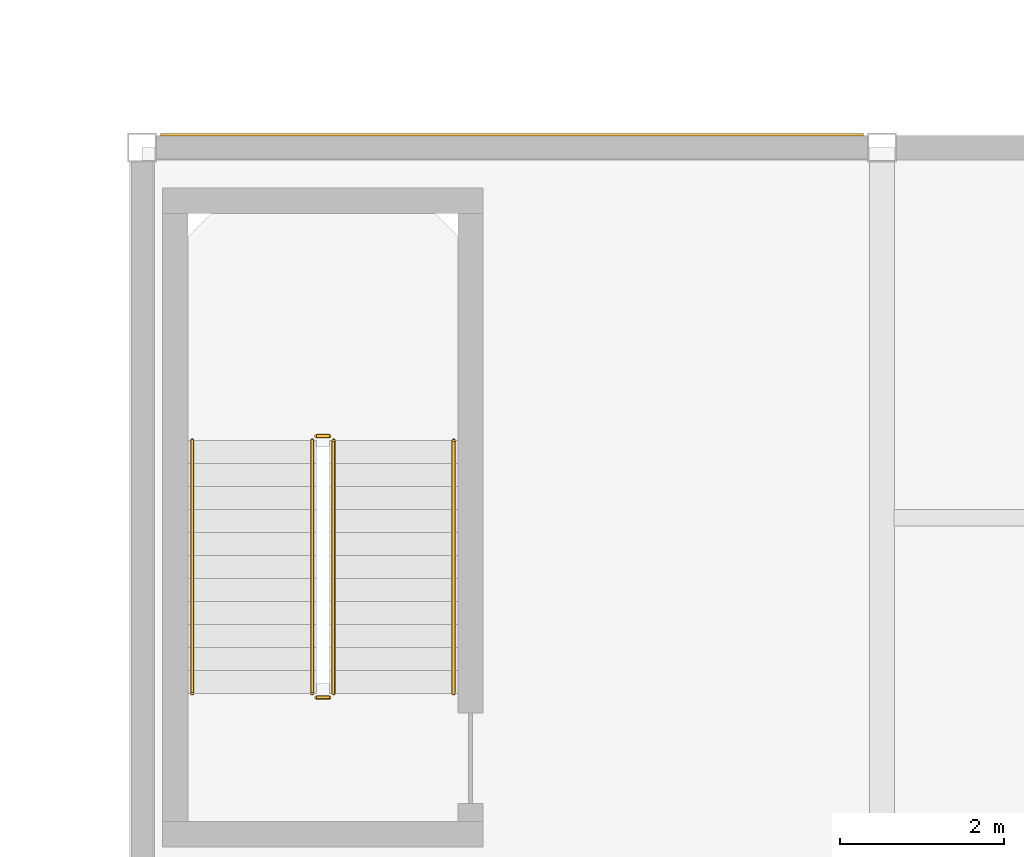
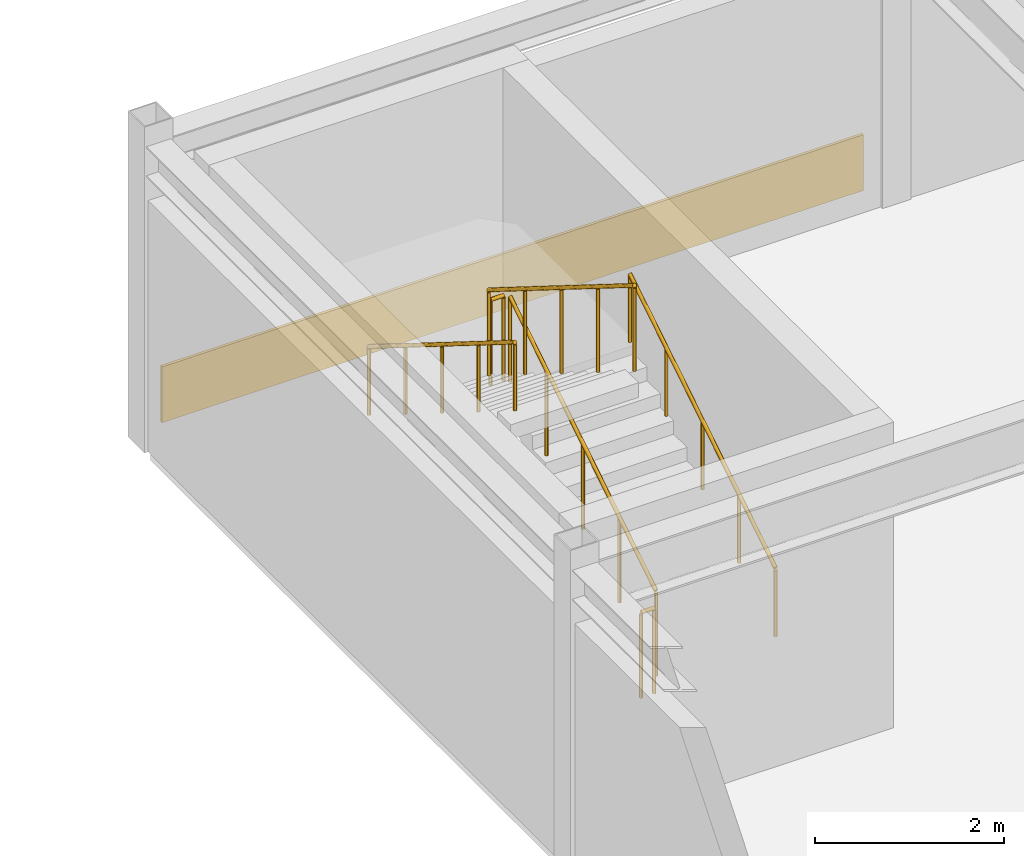
# One storey, part 39 of 40: 6 railings, 1 covering.
"""IFC4 building model written with IfcOpenShell, lengths in metres."""

from ifc_helpers import new_model, si_unit, direction, frame, origin, origin_2d, place, context, subcontext, project, spatial, rectangle, circle, extrude, material, layer, layer_set, type_object, element, save


model = new_model("IFC4")

# Units and contexts
model_context = context("Model", 3, precision=1e-05, world=origin(), true_north=direction((0.0, 1.0)))
body_context = subcontext(model_context, "Body", "Model", "MODEL_VIEW")
ifc_project = project(units=[si_unit("LENGTHUNIT", "METRE"), si_unit("AREAUNIT", "SQUARE_METRE"), si_unit("VOLUMEUNIT", "CUBIC_METRE"), si_unit("PLANEANGLEUNIT", "RADIAN"), si_unit("MASSUNIT", "GRAM", prefix="KILO")], contexts=[model_context])

# Site, building, storey
site_placement = place(None, origin())
site = spatial("IfcSite", under=ifc_project, at=site_placement, CompositionType="ELEMENT")
building_placement = place(site_placement, origin())
building = spatial("IfcBuilding", under=site, at=building_placement, Name="Suzunagisa Mobility Hub", CompositionType="ELEMENT")
storey_placement = place(building_placement, frame((0.0, 0.0, 21.89990234375)))
storey = spatial("IfcBuildingStorey", under=building, at=storey_placement, Name="L05", CompositionType="ELEMENT", Elevation=21.89990234375)

# Railings
ifc_material_1 = material(Name="Stainless Steel SUS304", Category="metal")
railing_type_1 = type_object("IfcRailingType", Name="Interior Well Guardrail IGR-01", PredefinedType="GUARDRAIL", material=ifc_material_1)
railing_1_placement = place(storey_placement, frame((146.330078125, 91.360107421875, 0.175048828125)))
element("IfcRailing", 1, at=railing_1_placement, inside=storey, type_object=railing_type_1, Name="L05 ST-12 stair guard 1", PredefinedType="GUARDRAIL", context=body_context, shape_type="SweptSolid", body=[
    extrude(circle(Radius=0.02392578125, at=origin_2d()), frame((0.0, 0.0, 1.09619140625), z_axis=(0.0, 0.847979421464, 0.530029150871), x_axis=(-1.0, 0.0, 0.0)), (0.0, 0.0, 1.0), 3.632080078125),
    extrude(circle(Radius=0.02099609375, at=origin_2d()), origin(), (0.0, 0.0, 1.0), 1.072021484375),
    extrude(circle(Radius=0.02099609375, at=origin_2d()), frame((0.0, 0.77001953125, 0.481201171875)), (0.0, 0.0, 1.0), 1.072021484375),
    extrude(circle(Radius=0.02099609375, at=origin_2d()), frame((0.0, 1.5400390625, 0.96240234375)), (0.0, 0.0, 1.0), 1.072021484375),
    extrude(circle(Radius=0.02099609375, at=origin_2d()), frame((0.0, 2.309814453125, 1.44384765625)), (0.0, 0.0, 1.0), 1.072021484375),
    extrude(circle(Radius=0.02099609375, at=origin_2d()), frame((0.0, 3.079833984375, 1.925048828125)), (0.0, 0.0, 1.0), 1.072021484375),
])
railing_2_placement = place(storey_placement, frame((146.280029296875, 94.489990234375, 2.10009765625)))
element("IfcRailing", 2, at=railing_2_placement, inside=storey, type_object=railing_type_1, Name="L05 ST-12 stair guard 2", PredefinedType="GUARDRAIL", context=body_context, shape_type="SweptSolid", body=[
    extrude(circle(Radius=0.02392578125, at=origin_2d()), frame((0.0, 0.0, 1.09619140625), z_axis=(-1.0, 0.0, 0.0), x_axis=(0.0, -1.0, 0.0)), (0.0, 0.0, 1.0), 0.159912109375),
    extrude(circle(Radius=0.02099609375, at=origin_2d()), origin(), (0.0, 0.0, 1.0), 1.072021484375),
    extrude(circle(Radius=0.02099609375, at=origin_2d()), frame((-0.159912109375, 0.0, 0.0)), (0.0, 0.0, 1.0), 1.072021484375),
])
railing_3_placement = place(storey_placement, frame((146.070068359375, 94.43994140625, 2.275146484375)))
element("IfcRailing", 3, at=railing_3_placement, inside=storey, type_object=railing_type_1, Name="L05 ST-12 stair guard 3", PredefinedType="GUARDRAIL", context=body_context, shape_type="SweptSolid", body=[
    extrude(circle(Radius=0.02392578125, at=origin_2d()), frame((0.0, 0.0, 1.09619140625), z_axis=(0.0, -0.847979421464, 0.530029150871), x_axis=(1.0, 0.0, 0.0)), (0.0, 0.0, 1.0), 3.632080078125),
    extrude(circle(Radius=0.02099609375, at=origin_2d()), origin(), (0.0, 0.0, 1.0), 1.072021484375),
    extrude(circle(Radius=0.02099609375, at=origin_2d()), frame((0.0, -0.77001953125, 0.481201171875)), (0.0, 0.0, 1.0), 1.072021484375),
    extrude(circle(Radius=0.02099609375, at=origin_2d()), frame((0.0, -1.5400390625, 0.96240234375)), (0.0, 0.0, 1.0), 1.072021484375),
    extrude(circle(Radius=0.02099609375, at=origin_2d()), frame((0.0, -2.309814453125, 1.44384765625)), (0.0, 0.0, 1.0), 1.072021484375),
    extrude(circle(Radius=0.02099609375, at=origin_2d()), frame((0.0, -3.079833984375, 1.925048828125)), (0.0, 0.0, 1.0), 1.072021484375),
])
railing_4_placement = place(storey_placement, frame((146.280029296875, 91.31005859375, 0.0)))
element("IfcRailing", 4, at=railing_4_placement, inside=storey, type_object=railing_type_1, Name="L05 ST-12 stair guard 4", PredefinedType="GUARDRAIL", context=body_context, shape_type="SweptSolid", body=[
    extrude(circle(Radius=0.02392578125, at=origin_2d()), frame((0.0, 0.0, 1.09619140625), z_axis=(-1.0, 0.0, 0.0), x_axis=(0.0, -1.0, 0.0)), (0.0, 0.0, 1.0), 0.159912109375),
    extrude(circle(Radius=0.02099609375, at=origin_2d()), origin(), (0.0, 0.0, 1.0), 1.072021484375),
    extrude(circle(Radius=0.02099609375, at=origin_2d()), frame((-0.159912109375, 0.0, 0.0)), (0.0, 0.0, 1.0), 1.072021484375),
])

# Covering
ifc_material_2 = material(Name="Vitreous Porcelain Enamel Aluminum Cladding", Category="aluminium")
ifc_layer = layer(ifc_material_2, 0.034912109375)
ifc_layer_set = layer_set([ifc_layer], Name="Vitreous Porcelain Enamel Aluminum Cladding")
covering_type = type_object("IfcCoveringType", Name="Porcelain Enamel Spandrel Cladding Band CLD-01", PredefinedType="CLADDING", material=ifc_layer_set)
covering_placement = place(storey_placement, frame((148.5, 98.157470703125, 0.06005859375), z_axis=(0.0, 0.0, 1.0), x_axis=(-1.0, 0.0, 0.0)))
element("IfcCovering", 5, at=covering_placement, inside=storey, type_object=covering_type, Name="L05 Porcelain Spandrel Cladding Band CLD-50", PredefinedType="CLADDING", context=body_context, shape_type="SweptSolid", body=[
    extrude(rectangle(XDim=8.550048828125, YDim=0.034912109375, at=origin_2d()), origin(), (0.0, 0.0, 1.0), 0.719970703125),
])

# Railings
railing_type_2 = type_object("IfcRailingType", Name="Tubular Stainless Stair Handrail IHR-01", PredefinedType="HANDRAIL", material=ifc_material_1)
railing_5_placement = place(storey_placement, frame((147.7900390625, 91.360107421875, 0.175048828125)))
element("IfcRailing", 6, at=railing_5_placement, inside=storey, type_object=railing_type_2, Name="L05 ST-12 stair handrail 1", PredefinedType="HANDRAIL", context=body_context, shape_type="SweptSolid", body=[
    extrude(circle(Radius=0.02392578125, at=origin_2d()), frame((0.0, 0.0, 0.8759765625), z_axis=(0.0, 0.847979421464, 0.530029150871), x_axis=(-1.0, 0.0, 0.0)), (0.0, 0.0, 1.0), 3.632080078125),
    extrude(circle(Radius=0.02099609375, at=origin_2d()), origin(), (0.0, 0.0, 1.0), 0.851806640625),
    extrude(circle(Radius=0.02099609375, at=origin_2d()), frame((0.0, 0.77001953125, 0.481201171875)), (0.0, 0.0, 1.0), 0.851806640625),
    extrude(circle(Radius=0.02099609375, at=origin_2d()), frame((0.0, 1.5400390625, 0.96240234375)), (0.0, 0.0, 1.0), 0.851806640625),
    extrude(circle(Radius=0.02099609375, at=origin_2d()), frame((0.0, 2.309814453125, 1.44384765625)), (0.0, 0.0, 1.0), 0.851806640625),
    extrude(circle(Radius=0.02099609375, at=origin_2d()), frame((0.0, 3.079833984375, 1.925048828125)), (0.0, 0.0, 1.0), 0.851806640625),
])
railing_6_placement = place(storey_placement, frame((144.610107421875, 94.43994140625, 2.275146484375)))
element("IfcRailing", 7, at=railing_6_placement, inside=storey, type_object=railing_type_2, Name="L05 ST-12 stair handrail 2", PredefinedType="HANDRAIL", context=body_context, shape_type="SweptSolid", body=[
    extrude(circle(Radius=0.02392578125, at=origin_2d()), frame((0.0, 0.0, 0.8759765625), z_axis=(0.0, -0.847979421464, 0.530029150871), x_axis=(1.0, 0.0, 0.0)), (0.0, 0.0, 1.0), 3.632080078125),
    extrude(circle(Radius=0.02099609375, at=origin_2d()), origin(), (0.0, 0.0, 1.0), 0.851806640625),
    extrude(circle(Radius=0.02099609375, at=origin_2d()), frame((0.0, -0.77001953125, 0.481201171875)), (0.0, 0.0, 1.0), 0.851806640625),
    extrude(circle(Radius=0.02099609375, at=origin_2d()), frame((0.0, -1.5400390625, 0.96240234375)), (0.0, 0.0, 1.0), 0.851806640625),
    extrude(circle(Radius=0.02099609375, at=origin_2d()), frame((0.0, -2.309814453125, 1.44384765625)), (0.0, 0.0, 1.0), 0.851806640625),
    extrude(circle(Radius=0.02099609375, at=origin_2d()), frame((0.0, -3.079833984375, 1.925048828125)), (0.0, 0.0, 1.0), 0.851806640625),
])

save(model, "model.ifc")
